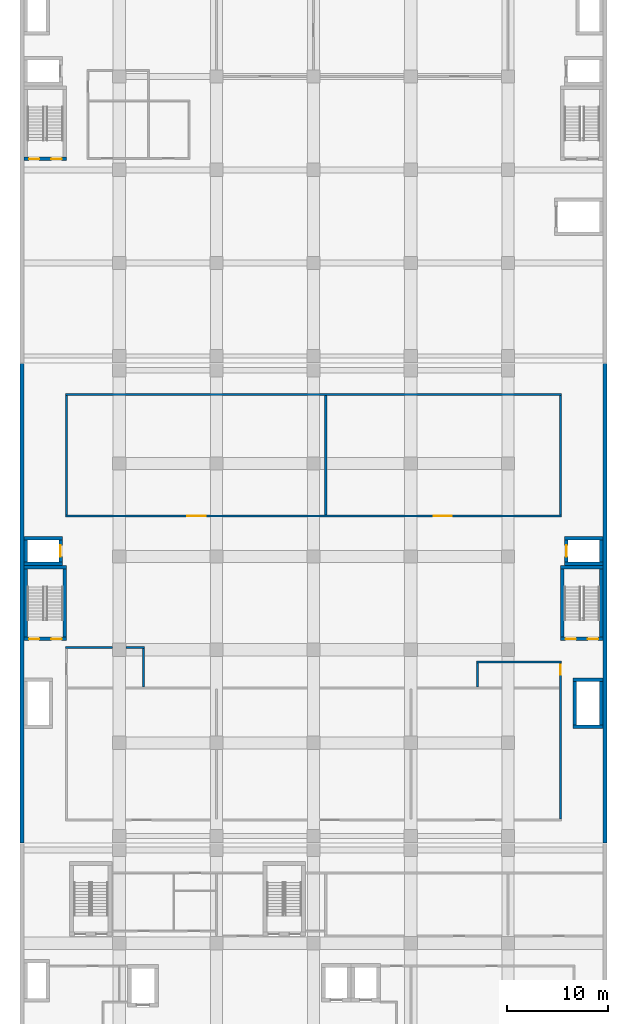
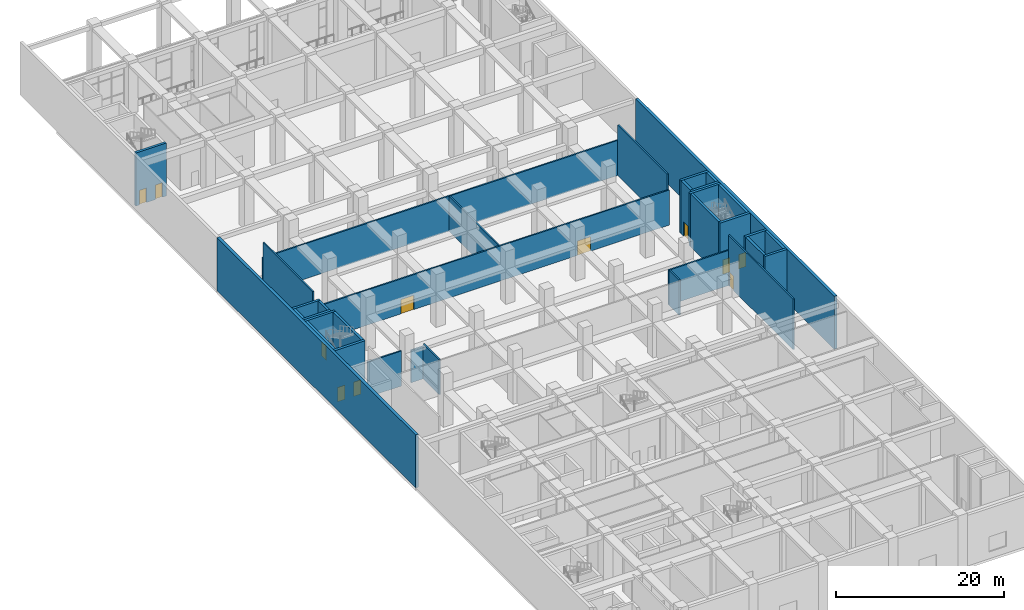
# One storey, part 15 of 33: 34 walls, 11 doors, 11 openings.
"""IFC4 building model written with IfcOpenShell, lengths in metres."""

from ifc_helpers import new_model, si_unit, direction, frame, frame_2d, origin, place, context, subcontext, project, spatial, rectangle, extrude, material, layer, layer_set, type_object, element, fill, save


model = new_model("IFC4")

# Units and contexts
model_context = context("Model", 3, precision=1e-05, world=origin(), true_north=direction((0.0, 1.0)))
body_context = subcontext(model_context, "Body", "Model", "MODEL_VIEW")
ifc_project = project(units=[si_unit("LENGTHUNIT", "METRE"), si_unit("AREAUNIT", "SQUARE_METRE"), si_unit("VOLUMEUNIT", "CUBIC_METRE"), si_unit("PLANEANGLEUNIT", "RADIAN"), si_unit("MASSUNIT", "GRAM", prefix="KILO")], contexts=[model_context])

# Site, building, storey
site_placement = place(None, origin())
site = spatial("IfcSite", under=ifc_project, at=site_placement, CompositionType="ELEMENT")
building_placement = place(site_placement, origin())
building = spatial("IfcBuilding", under=site, at=building_placement, Name="Nzadi Deep Aquarium and Research Tower", CompositionType="ELEMENT")
storey_placement = place(building_placement, frame((0.0, 0.0, 6.5)))
storey = spatial("IfcBuildingStorey", under=building, at=storey_placement, Name="L01", CompositionType="ELEMENT", Elevation=6.5)

# Wall
ifc_material_1 = material(Name="Blockwork masonry", Category="masonry")
ifc_layer_1 = layer(ifc_material_1, 0.199951171875)
ifc_layer_set_1 = layer_set([ifc_layer_1], Name="Blockwork masonry")
wall_type_1 = type_object("IfcWallType", Name="Partition 200 EI 120", PredefinedType="PARTITIONING", material=ifc_layer_set_1)
wall_1_placement = place(storey_placement, frame((4.39990234375, 79.10009765625, 0.0), z_axis=(0.0, 0.0, 1.0), x_axis=(0.0, 1.0, 0.0)))
element("IfcWall", 1, at=wall_1_placement, inside=storey, type_object=wall_type_1, Name="W-Z2-L01-P005", PredefinedType="PARTITIONING", context=body_context, shape_type="SweptSolid", body=[
    extrude(rectangle(XDim=11.7998046875, YDim=0.199951171875, at=frame_2d((5.89990234375, 0.0))), origin(), (0.0, 0.0, 1.0), 7.35009765625),
])

# Wall, opening, door
wall_2_placement = place(storey_placement, frame((53.199951171875, 49.10009765625, 0.0), z_axis=(0.0, 0.0, 1.0), x_axis=(0.0, 1.0, 0.0)))
wall_2 = element("IfcWall", 2, at=wall_2_placement, inside=storey, type_object=wall_type_1, Name="W-Z2-L01-P017", PredefinedType="PARTITIONING", context=body_context, shape_type="SweptSolid", body=[
    extrude(rectangle(XDim=15.39990234375, YDim=0.199951171875, at=frame_2d((7.699951171875, 0.0))), origin(), (0.0, 0.0, 1.0), 7.35009765625),
])
opening_1_placement = place(wall_2_placement, frame((14.199951171875, 0.0, 0.0)))
opening_1 = element("IfcOpeningElement", 3, at=opening_1_placement, cuts=wall_2, Name="Opening D022007", PredefinedType="OPENING", context=body_context, shape_type="SweptSolid", body=[
    extrude(rectangle(XDim=1.0, YDim=2.10009765625, at=frame_2d((0.5, 1.050048828125))), frame((0.0, 0.110107421875, 0.0), z_axis=(0.0, -1.0, 0.0), x_axis=(1.0, 0.0, 0.0)), (0.0, 0.0, 1.0), 0.22021484375),
])
ifc_material_2 = material(Name="Fire-rated steel door", Category="steel")
ifc_layer_2 = layer(ifc_material_2, 0.050048828125)
ifc_layer_set_2 = layer_set([ifc_layer_2], Name="Fire-rated steel door")
door_type_1 = type_object("IfcDoorType", Name="Door 1000x2100 EI 120 single", OperationType="SINGLE_SWING_LEFT", PredefinedType="DOOR", material=ifc_layer_set_2)
door_1_placement = place(opening_1_placement, origin())
door_1 = element("IfcDoor", 4, at=door_1_placement, inside=storey, type_object=door_type_1, Name="D022007", OperationType="SINGLE_SWING_RIGHT", OverallHeight=2.10009765625, OverallWidth=1.0, PredefinedType="DOOR", context=body_context, shape_type="SweptSolid", body=[
    extrude(rectangle(XDim=1.0, YDim=2.10009765625, at=frame_2d((0.5, 1.050048828125))), frame((0.0, 0.02490234375, 0.0), z_axis=(0.0, -1.0, 0.0), x_axis=(1.0, 0.0, 0.0)), (0.0, 0.0, 1.0), 0.050048828125),
])
fill(opening_1, door_1)

# Walls
wall_3_placement = place(storey_placement, frame((53.199951171875, 79.10009765625, 0.0), z_axis=(0.0, 0.0, 1.0), x_axis=(0.0, 1.0, 0.0)))
element("IfcWall", 5, at=wall_3_placement, inside=storey, type_object=wall_type_1, Name="W-Z2-L01-P018", PredefinedType="PARTITIONING", context=body_context, shape_type="SweptSolid", body=[
    extrude(rectangle(XDim=11.7998046875, YDim=0.199951171875, at=frame_2d((5.89990234375, 0.0))), origin(), (0.0, 0.0, 1.0), 7.35009765625),
])
ifc_material_3 = material(Name="Blockwork masonry", Category="masonry")
ifc_layer_3 = layer(ifc_material_3, 0.199951171875)
ifc_layer_set_3 = layer_set([ifc_layer_3], Name="Blockwork masonry")
wall_type_2 = type_object("IfcWallType", Name="Partition 200 EI 120, 4.70 m high", PredefinedType="PARTITIONING", material=ifc_layer_set_3)
wall_4_placement = place(storey_placement, frame((10.25, 66.0, 0.0), z_axis=(0.0, 0.0, 1.0), x_axis=(1.0, 0.0, 0.0)))
element("IfcWall", 6, at=wall_4_placement, inside=storey, type_object=wall_type_2, Name="W-Z2-L01-P008", PredefinedType="PARTITIONING", context=body_context, shape_type="SweptSolid", body=[
    extrude(rectangle(XDim=1.85009765625, YDim=0.199951171875, at=frame_2d((0.925048828125, 0.0))), origin(), (0.0, 0.0, 1.0), 4.699951171875),
])
ifc_material_4 = material(Name="Blockwork masonry", Category="masonry")
ifc_layer_4 = layer(ifc_material_4, 0.199951171875)
ifc_layer_set_4 = layer_set([ifc_layer_4], Name="Blockwork masonry")
wall_type_3 = type_object("IfcWallType", Name="Partition 200 EI 120, 5.10 m high", PredefinedType="PARTITIONING", material=ifc_layer_set_4)
wall_5_placement = place(storey_placement, frame((4.300048828125, 66.0, 0.0), z_axis=(0.0, 0.0, 1.0), x_axis=(1.0, 0.0, 0.0)))
element("IfcWall", 7, at=wall_5_placement, inside=storey, type_object=wall_type_3, Name="W-Z2-L01-P003", PredefinedType="PARTITIONING", context=body_context, shape_type="SweptSolid", body=[
    extrude(rectangle(XDim=4.64990234375, YDim=0.199951171875, at=frame_2d((2.324951171875, 0.0))), origin(), (0.0, 0.0, 1.0), 5.10009765625),
])

# Wall, openings, doors
wall_6_placement = place(storey_placement, frame((4.300048828125, 79.0, 0.0), z_axis=(0.0, 0.0, 1.0), x_axis=(1.0, 0.0, 0.0)))
wall_6 = element("IfcWall", 8, at=wall_6_placement, inside=storey, type_object=wall_type_3, Name="W-Z2-L01-P004", PredefinedType="PARTITIONING", context=body_context, shape_type="SweptSolid", body=[
    extrude(rectangle(XDim=49.0, YDim=0.199951171875, at=frame_2d((24.5, 0.0))), origin(), (0.0, 0.0, 1.0), 5.10009765625),
])
opening_2_placement = place(wall_6_placement, frame((12.034912109375, 0.0, 0.0)))
opening_2 = element("IfcOpeningElement", 9, at=opening_2_placement, cuts=wall_6, Name="Opening D022004", PredefinedType="OPENING", context=body_context, shape_type="SweptSolid", body=[
    extrude(rectangle(XDim=1.800048828125, YDim=2.10009765625, at=frame_2d((0.89990234375, 1.050048828125))), frame((0.0, 0.110107421875, 0.0), z_axis=(0.0, -1.0, 0.0), x_axis=(1.0, 0.0, 0.0)), (0.0, 0.0, 1.0), 0.22021484375),
])
opening_3_placement = place(wall_6_placement, frame((36.364990234375, 0.0, 0.0)))
opening_3 = element("IfcOpeningElement", 10, at=opening_3_placement, cuts=wall_6, Name="Opening D022005", PredefinedType="OPENING", context=body_context, shape_type="SweptSolid", body=[
    extrude(rectangle(XDim=1.800048828125, YDim=2.10009765625, at=frame_2d((0.89990234375, 1.050048828125))), frame((0.0, 0.110107421875, 0.0), z_axis=(0.0, -1.0, 0.0), x_axis=(1.0, 0.0, 0.0)), (0.0, 0.0, 1.0), 0.22021484375),
])
ifc_material_5 = material(Name="Fire-rated steel door", Category="steel")
ifc_layer_5 = layer(ifc_material_5, 0.050048828125)
ifc_layer_set_5 = layer_set([ifc_layer_5], Name="Fire-rated steel door")
door_type_2 = type_object("IfcDoorType", Name="Door 1800x2100 EI 120 double", OperationType="DOUBLE_DOOR_SINGLE_SWING", PredefinedType="DOOR", material=ifc_layer_set_5)
door_2_placement = place(opening_2_placement, origin())
door_2 = element("IfcDoor", 11, at=door_2_placement, inside=storey, type_object=door_type_2, Name="D022004", OperationType="DOUBLE_DOOR_SINGLE_SWING", OverallHeight=2.10009765625, OverallWidth=1.800048828125, PredefinedType="DOOR", context=body_context, shape_type="SweptSolid", body=[
    extrude(rectangle(XDim=1.800048828125, YDim=2.10009765625, at=frame_2d((0.89990234375, 1.050048828125))), frame((0.0, 0.02490234375, 0.0), z_axis=(0.0, -1.0, 0.0), x_axis=(1.0, 0.0, 0.0)), (0.0, 0.0, 1.0), 0.050048828125),
])
fill(opening_2, door_2)
door_3_placement = place(opening_3_placement, origin())
door_3 = element("IfcDoor", 12, at=door_3_placement, inside=storey, type_object=door_type_2, Name="D022005", OperationType="DOUBLE_DOOR_SINGLE_SWING", OverallHeight=2.10009765625, OverallWidth=1.800048828125, PredefinedType="DOOR", context=body_context, shape_type="SweptSolid", body=[
    extrude(rectangle(XDim=1.800048828125, YDim=2.10009765625, at=frame_2d((0.89990234375, 1.050048828125))), frame((0.0, 0.02490234375, 0.0), z_axis=(0.0, -1.0, 0.0), x_axis=(1.0, 0.0, 0.0)), (0.0, 0.0, 1.0), 0.050048828125),
])
fill(opening_3, door_3)

# Walls
wall_7_placement = place(storey_placement, frame((4.300048828125, 91.0, 0.0), z_axis=(0.0, 0.0, 1.0), x_axis=(1.0, 0.0, 0.0)))
element("IfcWall", 13, at=wall_7_placement, inside=storey, type_object=wall_type_3, Name="W-Z2-L01-P006", PredefinedType="PARTITIONING", context=body_context, shape_type="SweptSolid", body=[
    extrude(rectangle(XDim=49.0, YDim=0.199951171875, at=frame_2d((24.5, 0.0))), origin(), (0.0, 0.0, 1.0), 5.10009765625),
])
wall_8_placement = place(storey_placement, frame((12.0, 62.10009765625, 0.0), z_axis=(0.0, 0.0, 1.0), x_axis=(0.0, 1.0, 0.0)))
element("IfcWall", 14, at=wall_8_placement, inside=storey, type_object=wall_type_3, Name="W-Z2-L01-P009", PredefinedType="PARTITIONING", context=body_context, shape_type="SweptSolid", body=[
    extrude(rectangle(XDim=3.7998046875, YDim=0.199951171875, at=frame_2d((1.89990234375, 0.0))), origin(), (0.0, 0.0, 1.0), 5.10009765625),
])
wall_9_placement = place(storey_placement, frame((30.0, 79.10009765625, 0.0), z_axis=(0.0, 0.0, 1.0), x_axis=(0.0, 1.0, 0.0)))
element("IfcWall", 15, at=wall_9_placement, inside=storey, type_object=wall_type_3, Name="W-Z2-L01-P012", PredefinedType="PARTITIONING", context=body_context, shape_type="SweptSolid", body=[
    extrude(rectangle(XDim=11.7998046875, YDim=0.199951171875, at=frame_2d((5.89990234375, 0.0))), origin(), (0.0, 0.0, 1.0), 5.10009765625),
])
wall_10_placement = place(storey_placement, frame((45.0, 62.10009765625, 0.0), z_axis=(0.0, 0.0, 1.0), x_axis=(0.0, 1.0, 0.0)))
element("IfcWall", 16, at=wall_10_placement, inside=storey, type_object=wall_type_3, Name="W-Z2-L01-P015", PredefinedType="PARTITIONING", context=body_context, shape_type="SweptSolid", body=[
    extrude(rectangle(XDim=2.39990234375, YDim=0.199951171875, at=frame_2d((1.199951171875, 0.0))), origin(), (0.0, 0.0, 1.0), 5.10009765625),
])
wall_11_placement = place(storey_placement, frame((44.89990234375, 64.60009765625, 0.0), z_axis=(0.0, 0.0, 1.0), x_axis=(1.0, 0.0, 0.0)))
element("IfcWall", 17, at=wall_11_placement, inside=storey, type_object=wall_type_3, Name="W-Z2-L01-P016", PredefinedType="PARTITIONING", context=body_context, shape_type="SweptSolid", body=[
    extrude(rectangle(XDim=8.400146484375, YDim=0.199951171875, at=frame_2d((4.2001953125, 0.0))), origin(), (0.0, 0.0, 1.0), 5.10009765625),
])

# Wall, openings, doors
ifc_material_6 = material(Name="Concrete C35/45", Category="concrete")
ifc_layer_6 = layer(ifc_material_6, 0.35009765625)
ifc_layer_set_6 = layer_set([ifc_layer_6], Name="Concrete C35/45")
wall_type_4 = type_object("IfcWallType", Name="RC core wall 350, 7.50 to 7.70 m high", PredefinedType="SHEAR", material=ifc_layer_set_6)
wall_12_placement = place(storey_placement, frame((0.199951171875, 66.875, 0.0), z_axis=(0.0, 0.0, 1.0), x_axis=(1.0, 0.0, 0.0)))
wall_12 = element("IfcWall", 18, at=wall_12_placement, inside=storey, type_object=wall_type_4, Name="W-CORE-ST-Z2-W-L01-S", PredefinedType="SHEAR", context=body_context, shape_type="SweptSolid", body=[
    extrude(rectangle(XDim=4.199951171875, YDim=0.35009765625, at=frame_2d((2.10009765625, 0.0))), origin(), (0.0, 0.0, 1.0), 7.699951171875),
])
opening_4_placement = place(wall_12_placement, frame((0.5, 0.0, 0.0)))
opening_4 = element("IfcOpeningElement", 19, at=opening_4_placement, cuts=wall_12, Name="Opening DS-Z2-W-L01A", PredefinedType="OPENING", context=body_context, shape_type="SweptSolid", body=[
    extrude(rectangle(XDim=1.0, YDim=2.10009765625, at=frame_2d((0.5, 1.050048828125))), frame((0.0, 0.18505859375, 0.0), z_axis=(0.0, -1.0, 0.0), x_axis=(1.0, 0.0, 0.0)), (0.0, 0.0, 1.0), 0.3701171875),
])
opening_5_placement = place(wall_12_placement, frame((2.699951171875, 0.0, 0.0)))
opening_5 = element("IfcOpeningElement", 20, at=opening_5_placement, cuts=wall_12, Name="Opening DS-Z2-W-L01B", PredefinedType="OPENING", context=body_context, shape_type="SweptSolid", body=[
    extrude(rectangle(XDim=1.0, YDim=2.10009765625, at=frame_2d((0.5, 1.050048828125))), frame((0.0, 0.18505859375, 0.0), z_axis=(0.0, -1.0, 0.0), x_axis=(1.0, 0.0, 0.0)), (0.0, 0.0, 1.0), 0.3701171875),
])
ifc_material_7 = material(Name="Steel, powder coated", Category="steel")
door_type_3 = type_object("IfcDoorType", Name="STAIR DOOR 1000x2100 EI 60", OperationType="SINGLE_SWING_LEFT", PredefinedType="DOOR", material=ifc_material_7)
door_4_placement = place(opening_4_placement, origin())
door_4 = element("IfcDoor", 21, at=door_4_placement, inside=storey, type_object=door_type_3, Name="Stair door ST-Z2-W L01 A", OperationType="SINGLE_SWING_RIGHT", OverallHeight=2.10009765625, OverallWidth=1.0, PredefinedType="DOOR", context=body_context, shape_type="SweptSolid", body=[
    extrude(rectangle(XDim=1.0, YDim=2.10009765625, at=frame_2d((0.5, 1.050048828125))), frame((0.0, 0.02490234375, 0.0), z_axis=(0.0, -1.0, 0.0), x_axis=(1.0, 0.0, 0.0)), (0.0, 0.0, 1.0), 0.050048828125),
])
fill(opening_4, door_4)
door_5_placement = place(opening_5_placement, origin())
door_5 = element("IfcDoor", 22, at=door_5_placement, inside=storey, type_object=door_type_3, Name="Stair door ST-Z2-W L01 B", OperationType="SINGLE_SWING_LEFT", OverallHeight=2.10009765625, OverallWidth=1.0, PredefinedType="DOOR", context=body_context, shape_type="SweptSolid", body=[
    extrude(rectangle(XDim=1.0, YDim=2.10009765625, at=frame_2d((0.5, 1.050048828125))), frame((0.0, 0.02490234375, 0.0), z_axis=(0.0, -1.0, 0.0), x_axis=(1.0, 0.0, 0.0)), (0.0, 0.0, 1.0), 0.050048828125),
])
fill(opening_5, door_5)

# Walls
wall_13_placement = place(storey_placement, frame((0.199951171875, 73.925048828125, 0.0), z_axis=(0.0, 0.0, 1.0), x_axis=(1.0, 0.0, 0.0)))
element("IfcWall", 23, at=wall_13_placement, inside=storey, type_object=wall_type_4, Name="W-CORE-ST-Z2-W-L01-N", PredefinedType="SHEAR", context=body_context, shape_type="SweptSolid", body=[
    extrude(rectangle(XDim=4.199951171875, YDim=0.35009765625, at=frame_2d((2.10009765625, 0.0))), origin(), (0.0, 0.0, 1.0), 7.699951171875),
])
for number, where, z_axis, x_axis, name in (
    (24, (0.375, 67.050048828125, 0.0), (0.0, 0.0, 1.0), (0.0, 1.0, 0.0), "W-CORE-ST-Z2-W-L01-W"),
    (25, (4.22509765625, 67.050048828125, 0.0), (0.0, 0.0, 1.0), (0.0, 1.0, 0.0), "W-CORE-ST-Z2-W-L01-E"),
):
    element("IfcWall", number, at=place(storey_placement, frame(where, z_axis=z_axis, x_axis=x_axis)), inside=storey, type_object=wall_type_4, Name=name, PredefinedType="SHEAR", context=body_context, shape_type="SweptSolid", body=[
        extrude(rectangle(XDim=6.699951171875, YDim=0.35009765625, at=frame_2d((3.35009765625, 0.0))), origin(), (0.0, 0.0, 1.0), 7.699951171875),
    ])

# Wall, openings, doors
wall_14_placement = place(storey_placement, frame((53.199951171875, 66.875, 0.0), z_axis=(0.0, 0.0, 1.0), x_axis=(1.0, 0.0, 0.0)))
wall_14 = element("IfcWall", 26, at=wall_14_placement, inside=storey, type_object=wall_type_4, Name="W-CORE-ST-Z2-E-L01-S", PredefinedType="SHEAR", context=body_context, shape_type="SweptSolid", body=[
    extrude(rectangle(XDim=4.199951171875, YDim=0.35009765625, at=frame_2d((2.10009765625, 0.0))), origin(), (0.0, 0.0, 1.0), 7.699951171875),
])
opening_6_placement = place(wall_14_placement, frame((0.5, 0.0, 0.0)))
opening_6 = element("IfcOpeningElement", 27, at=opening_6_placement, cuts=wall_14, Name="Opening DS-Z2-E-L01A", PredefinedType="OPENING", context=body_context, shape_type="SweptSolid", body=[
    extrude(rectangle(XDim=1.0, YDim=2.10009765625, at=frame_2d((0.5, 1.050048828125))), frame((0.0, 0.18505859375, 0.0), z_axis=(0.0, -1.0, 0.0), x_axis=(1.0, 0.0, 0.0)), (0.0, 0.0, 1.0), 0.3701171875),
])
opening_7_placement = place(wall_14_placement, frame((2.699951171875, 0.0, 0.0)))
opening_7 = element("IfcOpeningElement", 28, at=opening_7_placement, cuts=wall_14, Name="Opening DS-Z2-E-L01B", PredefinedType="OPENING", context=body_context, shape_type="SweptSolid", body=[
    extrude(rectangle(XDim=1.0, YDim=2.10009765625, at=frame_2d((0.5, 1.050048828125))), frame((0.0, 0.18505859375, 0.0), z_axis=(0.0, -1.0, 0.0), x_axis=(1.0, 0.0, 0.0)), (0.0, 0.0, 1.0), 0.3701171875),
])
door_6_placement = place(opening_6_placement, origin())
door_6 = element("IfcDoor", 29, at=door_6_placement, inside=storey, type_object=door_type_3, Name="Stair door ST-Z2-E L01 A", OperationType="SINGLE_SWING_RIGHT", OverallHeight=2.10009765625, OverallWidth=1.0, PredefinedType="DOOR", context=body_context, shape_type="SweptSolid", body=[
    extrude(rectangle(XDim=1.0, YDim=2.10009765625, at=frame_2d((0.5, 1.050048828125))), frame((0.0, 0.02490234375, 0.0), z_axis=(0.0, -1.0, 0.0), x_axis=(1.0, 0.0, 0.0)), (0.0, 0.0, 1.0), 0.050048828125),
])
fill(opening_6, door_6)
door_7_placement = place(opening_7_placement, origin())
door_7 = element("IfcDoor", 30, at=door_7_placement, inside=storey, type_object=door_type_3, Name="Stair door ST-Z2-E L01 B", OperationType="SINGLE_SWING_LEFT", OverallHeight=2.10009765625, OverallWidth=1.0, PredefinedType="DOOR", context=body_context, shape_type="SweptSolid", body=[
    extrude(rectangle(XDim=1.0, YDim=2.10009765625, at=frame_2d((0.5, 1.050048828125))), frame((0.0, 0.02490234375, 0.0), z_axis=(0.0, -1.0, 0.0), x_axis=(1.0, 0.0, 0.0)), (0.0, 0.0, 1.0), 0.050048828125),
])
fill(opening_7, door_7)

# Walls
wall_15_placement = place(storey_placement, frame((53.199951171875, 73.925048828125, 0.0), z_axis=(0.0, 0.0, 1.0), x_axis=(1.0, 0.0, 0.0)))
element("IfcWall", 31, at=wall_15_placement, inside=storey, type_object=wall_type_4, Name="W-CORE-ST-Z2-E-L01-N", PredefinedType="SHEAR", context=body_context, shape_type="SweptSolid", body=[
    extrude(rectangle(XDim=4.199951171875, YDim=0.35009765625, at=frame_2d((2.10009765625, 0.0))), origin(), (0.0, 0.0, 1.0), 7.699951171875),
])
for number, where, z_axis, x_axis, name in (
    (32, (53.375, 67.050048828125, 0.0), (0.0, 0.0, 1.0), (0.0, 1.0, 0.0), "W-CORE-ST-Z2-E-L01-W"),
    (33, (57.22509765625, 67.050048828125, 0.0), (0.0, 0.0, 1.0), (0.0, 1.0, 0.0), "W-CORE-ST-Z2-E-L01-E"),
):
    element("IfcWall", number, at=place(storey_placement, frame(where, z_axis=z_axis, x_axis=x_axis)), inside=storey, type_object=wall_type_4, Name=name, PredefinedType="SHEAR", context=body_context, shape_type="SweptSolid", body=[
        extrude(rectangle(XDim=6.699951171875, YDim=0.35009765625, at=frame_2d((3.35009765625, 0.0))), origin(), (0.0, 0.0, 1.0), 7.699951171875),
    ])
for number, where, z_axis, x_axis, name in (
    (34, (0.199951171875, 74.27490234375, 0.0), (0.0, 0.0, 1.0), (1.0, 0.0, 0.0), "W-CORE-PL3-L01-S"),
    (35, (0.199951171875, 76.824951171875, 0.0), (0.0, 0.0, 1.0), (1.0, 0.0, 0.0), "W-CORE-PL3-L01-N"),
):
    element("IfcWall", number, at=place(storey_placement, frame(where, z_axis=z_axis, x_axis=x_axis)), inside=storey, type_object=wall_type_4, Name=name, PredefinedType="SHEAR", context=body_context, shape_type="SweptSolid", body=[
        extrude(rectangle(XDim=3.800048828125, YDim=0.35009765625, at=frame_2d((1.89990234375, 0.0))), origin(), (0.0, 0.0, 1.0), 7.699951171875),
    ])
wall_16_placement = place(storey_placement, frame((0.375, 74.449951171875, 0.0), z_axis=(0.0, 0.0, 1.0), x_axis=(0.0, 1.0, 0.0)))
element("IfcWall", 36, at=wall_16_placement, inside=storey, type_object=wall_type_4, Name="W-CORE-PL3-L01-W", PredefinedType="SHEAR", context=body_context, shape_type="SweptSolid", body=[
    extrude(rectangle(XDim=2.199951171875, YDim=0.35009765625, at=frame_2d((1.10009765625, 0.0))), origin(), (0.0, 0.0, 1.0), 7.699951171875),
])

# Wall, opening, door
wall_17_placement = place(storey_placement, frame((3.824951171875, 74.449951171875, 0.0), z_axis=(0.0, 0.0, 1.0), x_axis=(0.0, 1.0, 0.0)))
wall_17 = element("IfcWall", 37, at=wall_17_placement, inside=storey, type_object=wall_type_4, Name="W-CORE-PL3-L01-E", PredefinedType="SHEAR", context=body_context, shape_type="SweptSolid", body=[
    extrude(rectangle(XDim=2.199951171875, YDim=0.35009765625, at=frame_2d((1.10009765625, 0.0))), origin(), (0.0, 0.0, 1.0), 7.699951171875),
])
opening_8_placement = place(wall_17_placement, frame((0.550048828125, 0.0, 0.0)))
opening_8 = element("IfcOpeningElement", 38, at=opening_8_placement, cuts=wall_17, Name="Opening LD-PL3-L01", PredefinedType="OPENING", context=body_context, shape_type="SweptSolid", body=[
    extrude(rectangle(XDim=1.10009765625, YDim=2.10009765625, at=frame_2d((0.550048828125, 1.050048828125))), frame((0.0, 0.18505859375, 0.0), z_axis=(0.0, -1.0, 0.0), x_axis=(1.0, 0.0, 0.0)), (0.0, 0.0, 1.0), 0.3701171875),
])
ifc_material_8 = material(Name="Stainless steel 1.4301", Category="steel")
door_type_4 = type_object("IfcDoorType", Name="LANDING DOOR 1100x2100", OperationType="DOUBLE_DOOR_SLIDING", PredefinedType="DOOR", material=ifc_material_8)
door_8_placement = place(opening_8_placement, origin())
door_8 = element("IfcDoor", 39, at=door_8_placement, inside=storey, type_object=door_type_4, Name="Landing door PL3 L01", OperationType="DOUBLE_DOOR_SLIDING", OverallHeight=2.10009765625, OverallWidth=1.10009765625, PredefinedType="DOOR", context=body_context, shape_type="SweptSolid", body=[
    extrude(rectangle(XDim=1.10009765625, YDim=2.10009765625, at=frame_2d((0.550048828125, 1.050048828125))), frame((0.0, 0.02490234375, 0.0), z_axis=(0.0, -1.0, 0.0), x_axis=(1.0, 0.0, 0.0)), (0.0, 0.0, 1.0), 0.050048828125),
])
fill(opening_8, door_8)

# Walls
for number, where, z_axis, x_axis, name in (
    (40, (53.60009765625, 74.27490234375, 0.0), (0.0, 0.0, 1.0), (1.0, 0.0, 0.0), "W-CORE-PL4-L01-S"),
    (41, (53.60009765625, 76.824951171875, 0.0), (0.0, 0.0, 1.0), (1.0, 0.0, 0.0), "W-CORE-PL4-L01-N"),
):
    element("IfcWall", number, at=place(storey_placement, frame(where, z_axis=z_axis, x_axis=x_axis)), inside=storey, type_object=wall_type_4, Name=name, PredefinedType="SHEAR", context=body_context, shape_type="SweptSolid", body=[
        extrude(rectangle(XDim=3.7998046875, YDim=0.35009765625, at=frame_2d((1.89990234375, 0.0))), origin(), (0.0, 0.0, 1.0), 7.699951171875),
    ])

# Wall, opening, door
wall_18_placement = place(storey_placement, frame((53.77490234375, 74.449951171875, 0.0), z_axis=(0.0, 0.0, 1.0), x_axis=(0.0, 1.0, 0.0)))
wall_18 = element("IfcWall", 42, at=wall_18_placement, inside=storey, type_object=wall_type_4, Name="W-CORE-PL4-L01-W", PredefinedType="SHEAR", context=body_context, shape_type="SweptSolid", body=[
    extrude(rectangle(XDim=2.199951171875, YDim=0.35009765625, at=frame_2d((1.10009765625, 0.0))), origin(), (0.0, 0.0, 1.0), 7.699951171875),
])
opening_9_placement = place(wall_18_placement, frame((0.550048828125, 0.0, 0.0)))
opening_9 = element("IfcOpeningElement", 43, at=opening_9_placement, cuts=wall_18, Name="Opening LD-PL4-L01", PredefinedType="OPENING", context=body_context, shape_type="SweptSolid", body=[
    extrude(rectangle(XDim=1.10009765625, YDim=2.10009765625, at=frame_2d((0.550048828125, 1.050048828125))), frame((0.0, 0.18505859375, 0.0), z_axis=(0.0, -1.0, 0.0), x_axis=(1.0, 0.0, 0.0)), (0.0, 0.0, 1.0), 0.3701171875),
])
door_9_placement = place(opening_9_placement, origin())
door_9 = element("IfcDoor", 44, at=door_9_placement, inside=storey, type_object=door_type_4, Name="Landing door PL4 L01", OperationType="DOUBLE_DOOR_SLIDING", OverallHeight=2.10009765625, OverallWidth=1.10009765625, PredefinedType="DOOR", context=body_context, shape_type="SweptSolid", body=[
    extrude(rectangle(XDim=1.10009765625, YDim=2.10009765625, at=frame_2d((0.550048828125, 1.050048828125))), frame((0.0, 0.02490234375, 0.0), z_axis=(0.0, -1.0, 0.0), x_axis=(1.0, 0.0, 0.0)), (0.0, 0.0, 1.0), 0.050048828125),
])
fill(opening_9, door_9)

# Walls
wall_19_placement = place(storey_placement, frame((57.22509765625, 74.449951171875, 0.0), z_axis=(0.0, 0.0, 1.0), x_axis=(0.0, 1.0, 0.0)))
element("IfcWall", 45, at=wall_19_placement, inside=storey, type_object=wall_type_4, Name="W-CORE-PL4-L01-E", PredefinedType="SHEAR", context=body_context, shape_type="SweptSolid", body=[
    extrude(rectangle(XDim=2.199951171875, YDim=0.35009765625, at=frame_2d((1.10009765625, 0.0))), origin(), (0.0, 0.0, 1.0), 7.699951171875),
])
for number, where, z_axis, x_axis, name in (
    (46, (54.39990234375, 58.175048828125, 0.0), (0.0, 0.0, 1.0), (1.0, 0.0, 0.0), "W-CORE-RS-Z2-E-L01-S"),
    (47, (54.39990234375, 62.824951171875, 0.0), (0.0, 0.0, 1.0), (1.0, 0.0, 0.0), "W-CORE-RS-Z2-E-L01-N"),
):
    element("IfcWall", number, at=place(storey_placement, frame(where, z_axis=z_axis, x_axis=x_axis)), inside=storey, type_object=wall_type_4, Name=name, PredefinedType="SHEAR", context=body_context, shape_type="SweptSolid", body=[
        extrude(rectangle(XDim=3.0, YDim=0.35009765625, at=frame_2d((1.5, 0.0))), origin(), (0.0, 0.0, 1.0), 7.699951171875),
    ])
for number, where, z_axis, x_axis, name in (
    (48, (54.574951171875, 58.35009765625, 0.0), (0.0, 0.0, 1.0), (0.0, 1.0, 0.0), "W-CORE-RS-Z2-E-L01-W"),
    (49, (57.22509765625, 58.35009765625, 0.0), (0.0, 0.0, 1.0), (0.0, 1.0, 0.0), "W-CORE-RS-Z2-E-L01-E"),
):
    element("IfcWall", number, at=place(storey_placement, frame(where, z_axis=z_axis, x_axis=x_axis)), inside=storey, type_object=wall_type_4, Name=name, PredefinedType="SHEAR", context=body_context, shape_type="SweptSolid", body=[
        extrude(rectangle(XDim=4.2998046875, YDim=0.35009765625, at=frame_2d((2.14990234375, 0.0))), origin(), (0.0, 0.0, 1.0), 7.699951171875),
    ])

# Wall, openings, doors
wall_20_placement = place(storey_placement, frame((0.199951171875, 114.27490234375, 0.0), z_axis=(0.0, 0.0, 1.0), x_axis=(1.0, 0.0, 0.0)))
wall_20 = element("IfcWall", 50, at=wall_20_placement, inside=storey, type_object=wall_type_4, Name="W-CORE-ST-Z3-W-L01-S", PredefinedType="SHEAR", context=body_context, shape_type="SweptSolid", body=[
    extrude(rectangle(XDim=4.199951171875, YDim=0.35009765625, at=frame_2d((2.10009765625, 0.0))), origin(), (0.0, 0.0, 1.0), 7.699951171875),
])
opening_10_placement = place(wall_20_placement, frame((0.5, 0.0, 0.0)))
opening_10 = element("IfcOpeningElement", 51, at=opening_10_placement, cuts=wall_20, Name="Opening DS-Z3-W-L01A", PredefinedType="OPENING", context=body_context, shape_type="SweptSolid", body=[
    extrude(rectangle(XDim=1.0, YDim=2.10009765625, at=frame_2d((0.5, 1.050048828125))), frame((0.0, 0.18505859375, 0.0), z_axis=(0.0, -1.0, 0.0), x_axis=(1.0, 0.0, 0.0)), (0.0, 0.0, 1.0), 0.3701171875),
])
opening_11_placement = place(wall_20_placement, frame((2.699951171875, 0.0, 0.0)))
opening_11 = element("IfcOpeningElement", 52, at=opening_11_placement, cuts=wall_20, Name="Opening DS-Z3-W-L01B", PredefinedType="OPENING", context=body_context, shape_type="SweptSolid", body=[
    extrude(rectangle(XDim=1.0, YDim=2.10009765625, at=frame_2d((0.5, 1.050048828125))), frame((0.0, 0.18505859375, 0.0), z_axis=(0.0, -1.0, 0.0), x_axis=(1.0, 0.0, 0.0)), (0.0, 0.0, 1.0), 0.3701171875),
])
door_10_placement = place(opening_10_placement, origin())
door_10 = element("IfcDoor", 53, at=door_10_placement, inside=storey, type_object=door_type_3, Name="Stair door ST-Z3-W L01 A", OperationType="SINGLE_SWING_RIGHT", OverallHeight=2.10009765625, OverallWidth=1.0, PredefinedType="DOOR", context=body_context, shape_type="SweptSolid", body=[
    extrude(rectangle(XDim=1.0, YDim=2.10009765625, at=frame_2d((0.5, 1.050048828125))), frame((0.0, 0.02490234375, 0.0), z_axis=(0.0, -1.0, 0.0), x_axis=(1.0, 0.0, 0.0)), (0.0, 0.0, 1.0), 0.050048828125),
])
fill(opening_10, door_10)
door_11_placement = place(opening_11_placement, origin())
door_11 = element("IfcDoor", 54, at=door_11_placement, inside=storey, type_object=door_type_3, Name="Stair door ST-Z3-W L01 B", OperationType="SINGLE_SWING_LEFT", OverallHeight=2.10009765625, OverallWidth=1.0, PredefinedType="DOOR", context=body_context, shape_type="SweptSolid", body=[
    extrude(rectangle(XDim=1.0, YDim=2.10009765625, at=frame_2d((0.5, 1.050048828125))), frame((0.0, 0.02490234375, 0.0), z_axis=(0.0, -1.0, 0.0), x_axis=(1.0, 0.0, 0.0)), (0.0, 0.0, 1.0), 0.050048828125),
])
fill(opening_11, door_11)

# Walls
ifc_material_9 = material(Name="Concrete C35/45", Category="concrete")
ifc_layer_7 = layer(ifc_material_9, 0.39990234375)
ifc_layer_set_7 = layer_set([ifc_layer_7], Name="Concrete C35/45")
wall_type_5 = type_object("IfcWallType", Name="RC party wall 400, 7.50 to 7.70 m high", PredefinedType="SHEAR", material=ifc_layer_set_7)
for number, where, z_axis, x_axis, name in (
    (55, (0.00048828125, 46.719970703125, 0.0), (0.0, 0.0, 1.0), (0.0, 1.0, 0.0), "W-PTY-Z2-L01-W"),
    (56, (57.599609375, 46.719970703125, 0.0), (0.0, 0.0, 1.0), (0.0, 1.0, 0.0), "W-PTY-Z2-L01-E"),
):
    element("IfcWall", number, at=place(storey_placement, frame(where, z_axis=z_axis, x_axis=x_axis)), inside=storey, type_object=wall_type_5, Name=name, PredefinedType="SHEAR", context=body_context, shape_type="SweptSolid", body=[
        extrude(rectangle(XDim=47.360107421875, YDim=0.39990234375, at=frame_2d((23.68017578125, 0.0))), origin(), (0.0, 0.0, 1.0), 7.699951171875),
    ])

save(model, "model.ifc")
